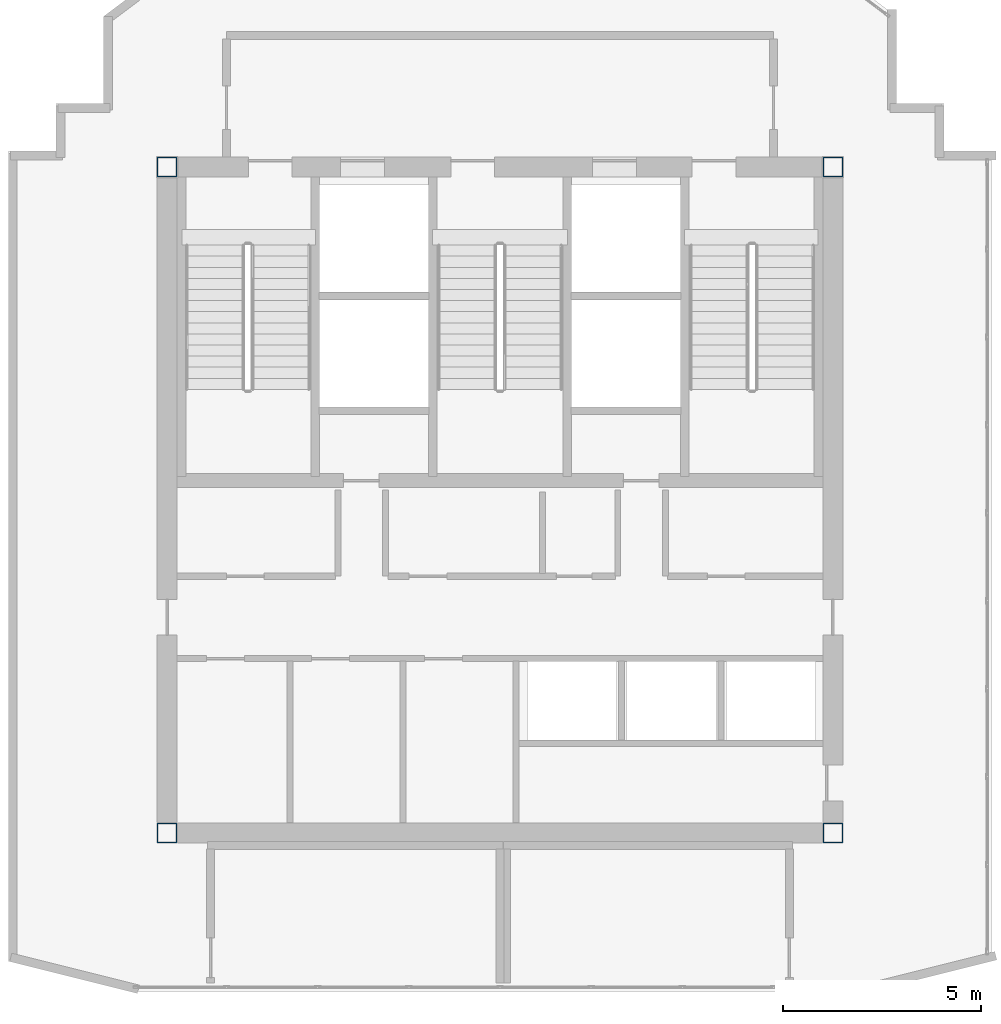
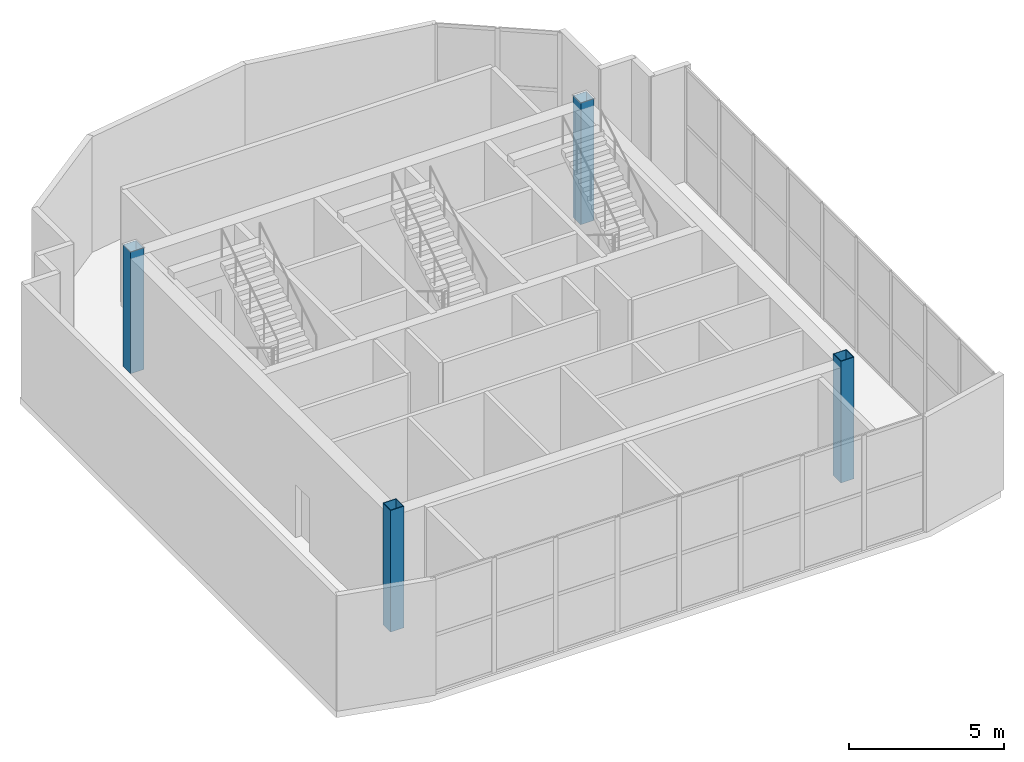
# One storey, part 1 of 9: 4 columns.
"""IFC4 building model written with IfcOpenShell, lengths in metres."""

from ifc_helpers import new_model, si_unit, direction, frame, origin, origin_2d, place, context, subcontext, project, spatial, hollow_rectangle, extrude, material, material_profile, profile_set, type_object, element, save


model = new_model("IFC4")

# Units and contexts
model_context = context("Model", 3, precision=1e-05, world=origin(), true_north=direction((0.0, 1.0)))
body_context = subcontext(model_context, "Body", "Model", "MODEL_VIEW")
ifc_project = project(units=[si_unit("LENGTHUNIT", "METRE"), si_unit("AREAUNIT", "SQUARE_METRE"), si_unit("VOLUMEUNIT", "CUBIC_METRE"), si_unit("PLANEANGLEUNIT", "RADIAN"), si_unit("MASSUNIT", "GRAM", prefix="KILO")], contexts=[model_context])

# Site, building, storey
site_placement = place(None, origin())
site = spatial("IfcSite", under=ifc_project, at=site_placement, CompositionType="ELEMENT")
building_placement = place(site_placement, origin())
building = spatial("IfcBuilding", under=site, at=building_placement, Name="Haolan Belvedere Tower", CompositionType="ELEMENT")
storey_placement = place(building_placement, frame((0.0, 0.0, 328.199951171875)))
storey = spatial("IfcBuildingStorey", under=building, at=storey_placement, Name="L82", CompositionType="ELEMENT", Elevation=328.199951171875)

# Columns
ifc_material = material(Name="Steel Q390GJC", Category="steel")
ifc_material_profile = material_profile(ifc_material, hollow_rectangle(XDim=0.5, YDim=0.5, WallThickness=0.02001953125, at=origin_2d()), Name="Steel Q390GJC")
ifc_profile_set = profile_set([ifc_material_profile], Name="Steel Q390GJC")
column_type = type_object("IfcColumnType", Name="COL-BOX500x500x20", PredefinedType="COLUMN", material=ifc_profile_set)
for number, where, z_axis, x_axis, name in (
    (1, (30.0, 43.199951171875, 0.0), (0.0, 0.0, 1.0), (1.0, 0.0, 0.0), "L82 column CC-CR-NW (BOX500x500x20)"),
    (2, (46.800048828125, 43.199951171875, 0.0), (0.0, 0.0, 1.0), (1.0, 0.0, 0.0), "L82 column CC-CR-NE (BOX500x500x20)"),
    (3, (30.0, 26.39990234375, 0.0), (0.0, 0.0, 1.0), (1.0, 0.0, 0.0), "L82 column CC-CR-SW (BOX500x500x20)"),
    (4, (46.800048828125, 26.39990234375, 0.0), (0.0, 0.0, 1.0), (1.0, 0.0, 0.0), "L82 column CC-CR-SE (BOX500x500x20)"),
):
    element("IfcColumn", number, at=place(storey_placement, frame(where, z_axis=z_axis, x_axis=x_axis)), inside=storey, type_object=column_type, Name=name, PredefinedType="COLUMN", context=body_context, shape_type="SweptSolid", body=[
        extrude(hollow_rectangle(XDim=0.5, YDim=0.5, WallThickness=0.02001953125, at=origin_2d()), origin(), (0.0, 0.0, 1.0), 4.800048828125),
    ])

save(model, "model.ifc")
